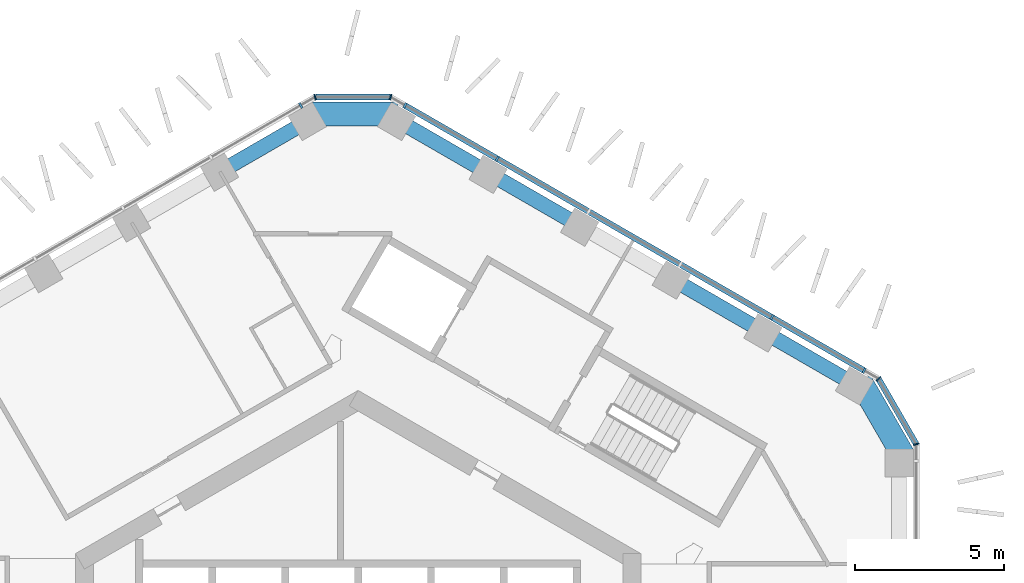
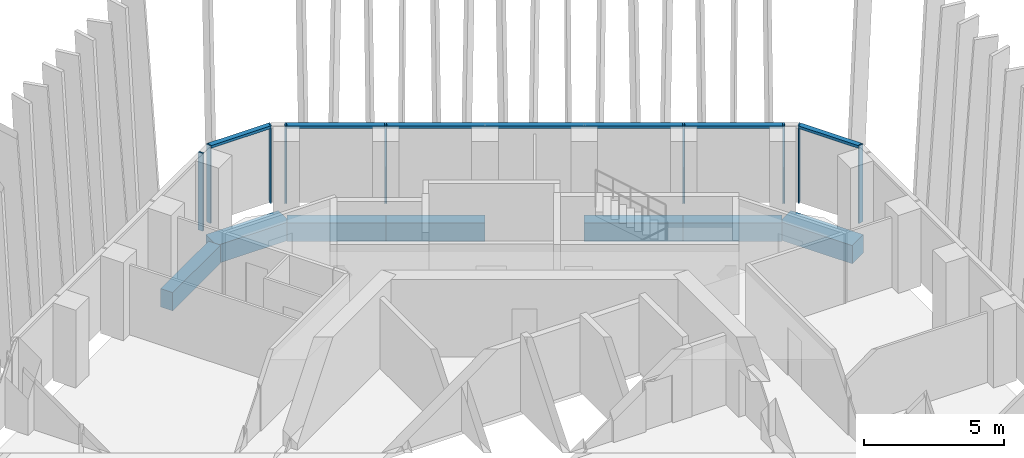
# One storey, part 7 of 20: 12 members, 7 beams, 4 elements without a shape of their own.
"""IFC4 building model written with IfcOpenShell, lengths in metres."""

from ifc_helpers import new_model, si_unit, direction, frame, origin, origin_2d, place, context, subcontext, project, spatial, rectangle, extrude, material, layer, layer_set, material_profile, profile_set, type_object, element, aggregate, save


model = new_model("IFC4")

# Units and contexts
model_context = context("Model", 3, precision=1e-05, world=origin(), true_north=direction((0.0, 1.0)))
body_context = subcontext(model_context, "Body", "Model", "MODEL_VIEW")
ifc_project = project(units=[si_unit("LENGTHUNIT", "METRE"), si_unit("AREAUNIT", "SQUARE_METRE"), si_unit("VOLUMEUNIT", "CUBIC_METRE"), si_unit("PLANEANGLEUNIT", "RADIAN"), si_unit("MASSUNIT", "GRAM", prefix="KILO")], contexts=[model_context])

# Site, building, storey
site_placement = place(None, origin())
site = spatial("IfcSite", under=ifc_project, at=site_placement, CompositionType="ELEMENT")
building_placement = place(site_placement, origin())
building = spatial("IfcBuilding", under=site, at=building_placement, Name="Ayvan Gate Tower", CompositionType="ELEMENT")
storey_placement = place(building_placement, frame((0.0, 0.0, 162.89990234375)))
storey = spatial("IfcBuildingStorey", under=building, at=storey_placement, Name="L43", CompositionType="ELEMENT", Elevation=162.89990234375)

# Beams
ifc_material_1 = material(Name="Concrete C40/50", Category="concrete")
ifc_material_profile_1 = material_profile(ifc_material_1, rectangle(XDim=0.800048828125, YDim=0.800048828125, at=origin_2d()), Name="RC 800x800")
ifc_profile_set_1 = profile_set([ifc_material_profile_1], Name="Concrete C40/50")
beam_type_1 = type_object("IfcBeamType", Name="Corner spandrel beam RC 800x800 C40/50", PredefinedType="BEAM", material=ifc_profile_set_1)
for number, where, z_axis, x_axis, name in (
    (1, (18.376953125, 8.6875, -0.75), (-0.499990139034, 0.866031096941, 0.0), (-0.866031096941, -0.499990139034, 0.0), "SB-L43-6"),
    (2, (1.3349609375, 20.2587890625, -0.75), (-1.0, 0.0, 0.0), (0.0, -1.0, 0.0), "SB-L43-12"),
):
    element("IfcBeam", number, at=place(storey_placement, frame(where, z_axis=z_axis, x_axis=x_axis)), inside=storey, type_object=beam_type_1, Name=name, PredefinedType="BEAM", context=body_context, shape_type="SweptSolid", body=[
        extrude(rectangle(XDim=0.800048828125, YDim=0.800048828125, at=origin_2d()), origin(), (0.0, 0.0, 1.0), 3.0),
    ])
ifc_material_profile_2 = material_profile(ifc_material_1, rectangle(XDim=0.5, YDim=0.800048828125, at=origin_2d()), Name="RC 500x800")
ifc_profile_set_2 = profile_set([ifc_material_profile_2], Name="Concrete C40/50")
beam_type_2 = type_object("IfcBeamType", Name="Spandrel beam RC 500x800 C40/50", PredefinedType="BEAM", material=ifc_profile_set_2)
for number, where, z_axis, x_axis, name in (
    (3, (16.6865234375, 11.175537109375, -0.75), (-0.866018157372, 0.500012550944, 0.0), (-0.500012550944, -0.866018157372, 0.0), "SB-L43-7"),
    (4, (13.6162109375, 12.9482421875, -0.75), (-0.866018157372, 0.500012550944, 0.0), (-0.500012550944, -0.866018157372, 0.0), "SB-L43-8"),
    (5, (7.4755859375, 16.493408203125, -0.75), (-0.866018157372, 0.500012550944, 0.0), (-0.500012550944, -0.866018157372, 0.0), "SB-L43-10"),
    (6, (4.4052734375, 18.26611328125, -0.75), (-0.866018157372, 0.500012550944, 0.0), (-0.500012550944, -0.866018157372, 0.0), "SB-L43-11"),
):
    element("IfcBeam", number, at=place(storey_placement, frame(where, z_axis=z_axis, x_axis=x_axis)), inside=storey, type_object=beam_type_2, Name=name, PredefinedType="BEAM", context=body_context, shape_type="SweptSolid", body=[
        extrude(rectangle(XDim=0.5, YDim=0.800048828125, at=origin_2d()), origin(), (0.0, 0.0, 1.0), 3.54541015625),
    ])
beam_placement = place(storey_placement, frame((-1.6650390625, 20.038818359375, -0.75), z_axis=(-0.866005460335, -0.500034541477, 0.0), x_axis=(0.500034541477, -0.866005460335, 0.0)))
element("IfcBeam", 7, at=beam_placement, inside=storey, type_object=beam_type_2, Name="SB-L43-13", PredefinedType="BEAM", context=body_context, shape_type="SweptSolid", body=[
    extrude(rectangle(XDim=0.5, YDim=0.800048828125, at=origin_2d()), origin(), (0.0, 0.0, 1.0), 3.430908203125),
])

# Curtain wall, member
ifc_material_2 = material(Name="Bronze anodised aluminium", Category="aluminium")
ifc_layer_1 = layer(ifc_material_2, 0.199951171875)
ifc_layer_set_1 = layer_set([ifc_layer_1], Name="Bronze anodised aluminium")
curtain_wall_type_1 = type_object("IfcCurtainWallType", Name="Stick curtain wall CW-2", PredefinedType="NOTDEFINED", material=ifc_layer_set_1)
curtain_wall_1_placement = place(storey_placement, origin())
curtain_wall_1 = element("IfcCurtainWall", 8, at=curtain_wall_1_placement, inside=storey, type_object=curtain_wall_type_1, Name="Stick curtain wall CW-2 L43", PredefinedType="NOTDEFINED")
ifc_material_profile_3 = material_profile(ifc_material_2, rectangle(XDim=0.199951171875, YDim=0.070068359375, at=origin_2d()), Name="Stick curtain wall CW-2 mullion 200 x 70")
ifc_profile_set_3 = profile_set([ifc_material_profile_3], Name="Bronze anodised aluminium")
member_type_1 = type_object("IfcMemberType", Name="Stick curtain wall CW-2 mullion 200 x 70", PredefinedType="MULLION", material=ifc_profile_set_3)
member_1_placement = place(storey_placement, frame((-1.93017578125, 20.549560546875, 0.0), z_axis=(0.0, 0.0, 1.0), x_axis=(-0.5, 0.866025403784, 0.0)))
member_1 = element("IfcMember", 9, at=member_1_placement, type_object=member_type_1, Name="CW-2 mullion 1", PredefinedType="MULLION", context=body_context, shape_type="SweptSolid", body=[
    extrude(rectangle(XDim=0.199951171875, YDim=0.070068359375, at=origin_2d()), origin(), (0.0, 0.0, 1.0), 3.400146484375),
])
aggregate(curtain_wall_1, [member_1])

# Curtain wall, members
curtain_wall_2_placement = place(storey_placement, origin())
curtain_wall_2 = element("IfcCurtainWall", 10, at=curtain_wall_2_placement, inside=storey, type_object=curtain_wall_type_1, Name="Stick curtain wall CW-2 L43", PredefinedType="NOTDEFINED")
member_2_placement = place(storey_placement, frame((17.00927734375, 11.637939453125, 0.0), z_axis=(0.0, 0.0, 1.0), x_axis=(0.5, 0.866025403784, 0.0)))
member_2 = element("IfcMember", 11, at=member_2_placement, type_object=member_type_1, Name="CW-2 mullion 1", PredefinedType="MULLION", context=body_context, shape_type="SweptSolid", body=[
    extrude(rectangle(XDim=0.199951171875, YDim=0.070068359375, at=origin_2d()), origin(), (0.0, 0.0, 1.0), 3.400146484375),
])
member_3_placement = place(storey_placement, frame((13.90966796875, 13.427490234375, 0.0), z_axis=(0.0, 0.0, 1.0), x_axis=(0.5, 0.866025403784, 0.0)))
member_3 = element("IfcMember", 12, at=member_3_placement, type_object=member_type_1, Name="CW-2 mullion 2", PredefinedType="MULLION", context=body_context, shape_type="SweptSolid", body=[
    extrude(rectangle(XDim=0.199951171875, YDim=0.070068359375, at=origin_2d()), origin(), (0.0, 0.0, 1.0), 3.400146484375),
])
member_4_placement = place(storey_placement, frame((4.673583984375, 18.760009765625, 0.0), z_axis=(0.0, 0.0, 1.0), x_axis=(0.5, 0.866025403784, 0.0)))
member_4 = element("IfcMember", 13, at=member_4_placement, type_object=member_type_1, Name="CW-2 mullion 5", PredefinedType="MULLION", context=body_context, shape_type="SweptSolid", body=[
    extrude(rectangle(XDim=0.199951171875, YDim=0.070068359375, at=origin_2d()), origin(), (0.0, 0.0, 1.0), 3.400146484375),
])
member_5_placement = place(storey_placement, frame((1.57421875, 20.549560546875, 0.0), z_axis=(0.0, 0.0, 1.0), x_axis=(0.5, 0.866025403784, 0.0)))
member_5 = element("IfcMember", 14, at=member_5_placement, type_object=member_type_1, Name="CW-2 mullion 6", PredefinedType="MULLION", context=body_context, shape_type="SweptSolid", body=[
    extrude(rectangle(XDim=0.199951171875, YDim=0.070068359375, at=origin_2d()), origin(), (0.0, 0.0, 1.0), 3.400146484375),
])
ifc_material_profile_4 = material_profile(ifc_material_2, rectangle(XDim=0.199951171875, YDim=0.1201171875, at=origin_2d()), Name="Stick curtain wall CW-2 transom 200 x 120")
ifc_profile_set_4 = profile_set([ifc_material_profile_4], Name="Bronze anodised aluminium")
member_type_2 = type_object("IfcMemberType", Name="Stick curtain wall CW-2 transom 200 x 120", PredefinedType="USERDEFINED", material=ifc_profile_set_4)
member_6_placement = place(storey_placement, frame((17.00927734375, 11.637939453125, 3.340087890625), z_axis=(-0.866020888248, 0.500007821057, 0.0), x_axis=(-0.500007821057, -0.866020888248, 0.0)))
member_6 = element("IfcMember", 15, at=member_6_placement, type_object=member_type_2, Name="CW-2 transom 1", ObjectType="TRANSOM", PredefinedType="USERDEFINED", context=body_context, shape_type="SweptSolid", body=[
    extrude(rectangle(XDim=0.199951171875, YDim=0.1201171875, at=origin_2d()), origin(), (0.0, 0.0, 1.0), 17.822998046875),
])
aggregate(curtain_wall_2, [member_2, member_3, member_4, member_5, member_6])

ifc_layer_2 = layer(ifc_material_2, 0.199951171875)
ifc_layer_set_2 = layer_set([ifc_layer_2], Name="Bronze anodised aluminium")
curtain_wall_type_2 = type_object("IfcCurtainWallType", Name="Stick curtain wall CW-6", PredefinedType="NOTDEFINED", material=ifc_layer_set_2)
curtain_wall_3_placement = place(storey_placement, origin())
curtain_wall_3 = element("IfcCurtainWall", 16, at=curtain_wall_3_placement, inside=storey, type_object=curtain_wall_type_2, Name="Stick curtain wall CW-6 L43", PredefinedType="NOTDEFINED")
ifc_material_profile_5 = material_profile(ifc_material_2, rectangle(XDim=0.199951171875, YDim=0.050048828125, at=origin_2d()), Name="Stick curtain wall CW-6 mullion 200 x 50")
ifc_profile_set_5 = profile_set([ifc_material_profile_5], Name="Bronze anodised aluminium")
member_type_3 = type_object("IfcMemberType", Name="Stick curtain wall CW-6 mullion 200 x 50", PredefinedType="MULLION", material=ifc_profile_set_5)
member_7_placement = place(storey_placement, frame((18.761474609375, 9.1630859375, 0.0), z_axis=(0.0, 0.0, 1.0), x_axis=(0.965925826289, 0.258819045103, 0.0)))
member_7 = element("IfcMember", 17, at=member_7_placement, type_object=member_type_3, Name="CW-6 mullion 2", PredefinedType="MULLION", context=body_context, shape_type="SweptSolid", body=[
    extrude(rectangle(XDim=0.199951171875, YDim=0.050048828125, at=origin_2d()), origin(), (0.0, 0.0, 1.0), 3.400146484375),
])
member_8_placement = place(storey_placement, frame((17.494140625, 11.358154296875, 0.0), z_axis=(0.0, 0.0, 1.0), x_axis=(0.707106781187, 0.707106781187, 0.0)))
member_8 = element("IfcMember", 18, at=member_8_placement, type_object=member_type_3, Name="CW-6 mullion 3", PredefinedType="MULLION", context=body_context, shape_type="SweptSolid", body=[
    extrude(rectangle(XDim=0.199951171875, YDim=0.050048828125, at=origin_2d()), origin(), (0.0, 0.0, 1.0), 3.400146484375),
])

curtain_wall_4_placement = place(storey_placement, origin())
curtain_wall_4 = element("IfcCurtainWall", 19, at=curtain_wall_4_placement, inside=storey, type_object=curtain_wall_type_2, Name="Stick curtain wall CW-6 L43", PredefinedType="NOTDEFINED")
member_9_placement = place(storey_placement, frame((1.08935546875, 20.82958984375, 0.0), z_axis=(0.0, 0.0, 1.0), x_axis=(0.258819045103, 0.965925826289, 0.0)))
member_9 = element("IfcMember", 20, at=member_9_placement, type_object=member_type_3, Name="CW-6 mullion 2", PredefinedType="MULLION", context=body_context, shape_type="SweptSolid", body=[
    extrude(rectangle(XDim=0.199951171875, YDim=0.050048828125, at=origin_2d()), origin(), (0.0, 0.0, 1.0), 3.400146484375),
])
member_10_placement = place(storey_placement, frame((-1.4453125, 20.82958984375, 0.0), z_axis=(0.0, 0.0, 1.0), x_axis=(-0.258819045103, 0.965925826289, 0.0)))
member_10 = element("IfcMember", 21, at=member_10_placement, type_object=member_type_3, Name="CW-6 mullion 3", PredefinedType="MULLION", context=body_context, shape_type="SweptSolid", body=[
    extrude(rectangle(XDim=0.199951171875, YDim=0.050048828125, at=origin_2d()), origin(), (0.0, 0.0, 1.0), 3.400146484375),
])

# Member
ifc_material_profile_6 = material_profile(ifc_material_2, rectangle(XDim=0.199951171875, YDim=0.1201171875, at=origin_2d()), Name="Stick curtain wall CW-6 transom 200 x 120")
ifc_profile_set_6 = profile_set([ifc_material_profile_6], Name="Bronze anodised aluminium")
member_type_4 = type_object("IfcMemberType", Name="Stick curtain wall CW-6 transom 200 x 120", PredefinedType="USERDEFINED", material=ifc_profile_set_6)
member_11_placement = place(storey_placement, frame((18.7490234375, 9.184814453125, 3.340087890625), z_axis=(-0.499986149909, 0.86603339999, 0.0), x_axis=(-0.86603339999, -0.499986149909, 0.0)))
member_11 = element("IfcMember", 22, at=member_11_placement, type_object=member_type_4, Name="CW-6 transom 2", ObjectType="TRANSOM", PredefinedType="USERDEFINED", context=body_context, shape_type="SweptSolid", body=[
    extrude(rectangle(XDim=0.199951171875, YDim=0.1201171875, at=origin_2d()), origin(), (0.0, 0.0, 1.0), 2.484375),
])

aggregate(curtain_wall_3, [member_7, member_8, member_11])

member_12_placement = place(storey_placement, frame((1.064208984375, 20.82958984375, 3.340087890625), z_axis=(-1.0, 0.0, 0.0), x_axis=(0.0, -1.0, 0.0)))
member_12 = element("IfcMember", 23, at=member_12_placement, type_object=member_type_4, Name="CW-6 transom 2", ObjectType="TRANSOM", PredefinedType="USERDEFINED", context=body_context, shape_type="SweptSolid", body=[
    extrude(rectangle(XDim=0.199951171875, YDim=0.1201171875, at=origin_2d()), origin(), (0.0, 0.0, 1.0), 2.484619140625),
])

aggregate(curtain_wall_4, [member_9, member_10, member_12])

save(model, "model.ifc")
